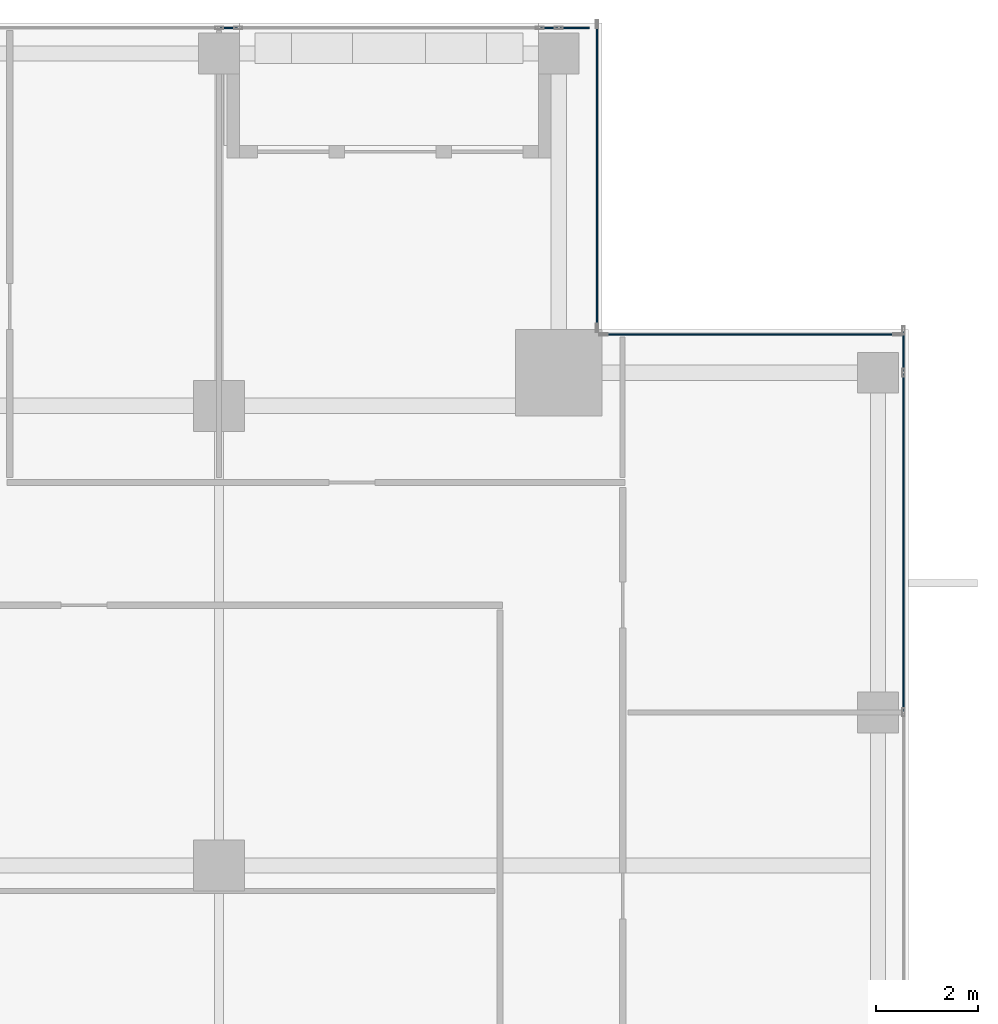
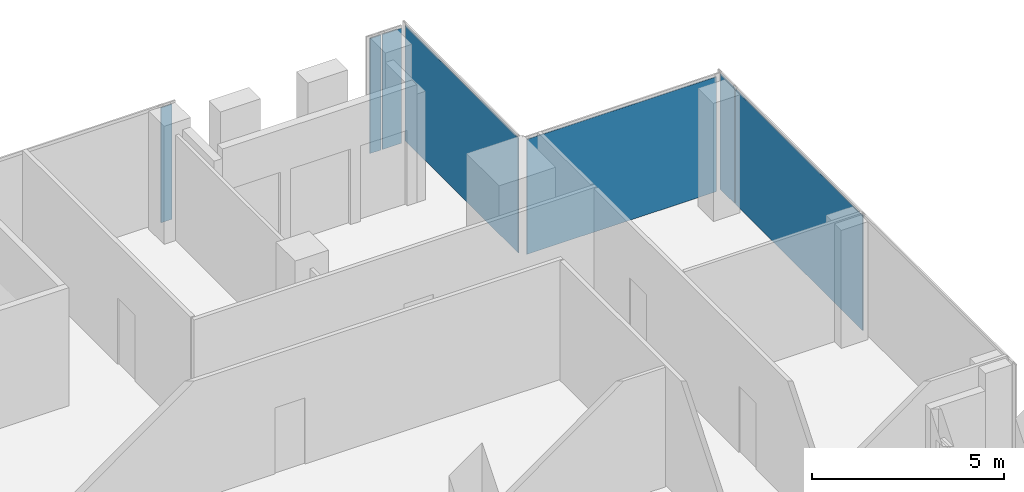
# One storey, part 23 of 29: 7 plates, 5 elements without a shape of their own.
"""IFC4 building model written with IfcOpenShell, lengths in metres."""

from ifc_helpers import new_model, si_unit, direction, frame, origin, origin_2d, place, context, subcontext, project, spatial, rectangle, extrude, source, transform, mapped, material, layer, layer_set, type_object, element, aggregate, save


model = new_model("IFC4")

# Units and contexts
model_context = context("Model", 3, precision=1e-05, world=origin(), true_north=direction((0.0, 1.0)))
body_context = subcontext(model_context, "Body", "Model", "MODEL_VIEW")
ifc_project = project(units=[si_unit("LENGTHUNIT", "METRE"), si_unit("AREAUNIT", "SQUARE_METRE"), si_unit("VOLUMEUNIT", "CUBIC_METRE"), si_unit("PLANEANGLEUNIT", "RADIAN"), si_unit("MASSUNIT", "GRAM", prefix="KILO")], contexts=[model_context])

# Site, building, storey
site_placement = place(None, origin())
site = spatial("IfcSite", under=ifc_project, at=site_placement, CompositionType="ELEMENT")
building_placement = place(site_placement, origin())
building = spatial("IfcBuilding", under=site, at=building_placement, Name="Khomas Fold Tower", CompositionType="ELEMENT")
storey_placement = place(building_placement, frame((0.0, 0.0, 290.199951171875)))
storey = spatial("IfcBuildingStorey", under=building, at=storey_placement, Name="L65", CompositionType="ELEMENT", Elevation=290.199951171875)

# Curtain wall, plate
ifc_material_1 = material(Name="Aluminium framed double glazing", Category="aluminium")
curtain_wall_type = type_object("IfcCurtainWallType", Name="SK-Unitised clear-glass wall, upper floors CW3", PredefinedType="NOTDEFINED", material=ifc_material_1)
curtain_wall_1_placement = place(storey_placement, origin())
curtain_wall_1 = element("IfcCurtainWall", 1, at=curtain_wall_1_placement, inside=storey, type_object=curtain_wall_type, Name="CW3 run L65 06-0", PredefinedType="NOTDEFINED")
ifc_material_2 = material(Name="Clear double glazed unit")
ifc_layer = layer(ifc_material_2, 0.028076171875)
ifc_layer_set = layer_set([ifc_layer], Name="Clear double glazed unit")
plate_type = type_object("IfcPlateType", Name="SK-Unitised clear-glass wall, upper floors glass panel CW3-P", PredefinedType="CURTAIN_PANEL", material=ifc_layer_set)
shared_shape_1 = source(origin(), body_context, "Body", "SweptSolid", [
    extrude(rectangle(XDim=0.574951171875, YDim=0.028076171875, at=origin_2d()), origin(), (0.0, 0.0, 1.0), 3.64990234375),
])
plate_1_placement = place(storey_placement, frame((41.46240234375, 47.89990234375, 0.0), z_axis=(0.0, 0.0, 1.0), x_axis=(-1.0, 0.0, 0.0)))
plate_1 = element("IfcPlate", 2, at=plate_1_placement, type_object=plate_type, Name="CW3 glass panel 1", PredefinedType="CURTAIN_PANEL", context=body_context, shape_type="MappedRepresentation", body=[
    mapped(shared_shape_1, transform((0.0, 0.0, 0.0))),
])

# Curtain wall, plates
curtain_wall_2_placement = place(storey_placement, origin())
curtain_wall_2 = element("IfcCurtainWall", 3, at=curtain_wall_2_placement, inside=storey, type_object=curtain_wall_type, Name="CW3 run L65 03-1", PredefinedType="NOTDEFINED")
shared_shape_2 = source(origin(), body_context, "Body", "SweptSolid", [
    extrude(rectangle(XDim=6.60009765625, YDim=0.028076171875, at=origin_2d()), origin(), (0.0, 0.0, 1.0), 3.64990234375),
])
plate_2_placement = place(storey_placement, frame((47.89990234375, 37.824951171875, 0.0), z_axis=(0.0, 0.0, 1.0), x_axis=(0.0, 1.0, 0.0)))
plate_2 = element("IfcPlate", 4, at=plate_2_placement, type_object=plate_type, Name="CW3 glass panel 3", PredefinedType="CURTAIN_PANEL", context=body_context, shape_type="MappedRepresentation", body=[
    mapped(shared_shape_2, transform((0.0, 0.0, 0.0))),
])
shared_shape_3 = source(origin(), body_context, "Body", "SweptSolid", [
    extrude(rectangle(XDim=0.77490234375, YDim=0.028076171875, at=origin_2d()), origin(), (0.0, 0.0, 1.0), 3.64990234375),
])
plate_3_placement = place(storey_placement, frame((47.89990234375, 41.5625, 0.0), z_axis=(0.0, 0.0, 1.0), x_axis=(0.0, 1.0, 0.0)))
plate_3 = element("IfcPlate", 5, at=plate_3_placement, type_object=plate_type, Name="CW3 glass panel 4", PredefinedType="CURTAIN_PANEL", context=body_context, shape_type="MappedRepresentation", body=[
    mapped(shared_shape_3, transform((0.0, 0.0, 0.0))),
])
aggregate(curtain_wall_2, [plate_2, plate_3])

# Curtain wall, plate
curtain_wall_3_placement = place(storey_placement, origin())
curtain_wall_3 = element("IfcCurtainWall", 6, at=curtain_wall_3_placement, inside=storey, type_object=curtain_wall_type, Name="CW3 corner return L65 04", PredefinedType="NOTDEFINED")
shared_shape_4 = source(origin(), body_context, "Body", "SweptSolid", [
    extrude(rectangle(XDim=5.699951171875, YDim=0.028076171875, at=origin_2d()), origin(), (0.0, 0.0, 1.0), 3.64990234375),
])
plate_4_placement = place(storey_placement, frame((44.89990234375, 41.89990234375, 0.0), z_axis=(0.0, 0.0, 1.0), x_axis=(-1.0, 0.0, 0.0)))
plate_4 = element("IfcPlate", 7, at=plate_4_placement, type_object=plate_type, Name="CW3 glass panel 1", PredefinedType="CURTAIN_PANEL", context=body_context, shape_type="MappedRepresentation", body=[
    mapped(shared_shape_4, transform((0.0, 0.0, 0.0))),
])
aggregate(curtain_wall_3, [plate_4])

curtain_wall_4_placement = place(storey_placement, origin())
curtain_wall_4 = element("IfcCurtainWall", 8, at=curtain_wall_4_placement, inside=storey, type_object=curtain_wall_type, Name="CW3 corner return L65 05", PredefinedType="NOTDEFINED")
shared_shape_5 = source(origin(), body_context, "Body", "SweptSolid", [
    extrude(rectangle(XDim=5.89990234375, YDim=0.028076171875, at=origin_2d()), origin(), (0.0, 0.0, 1.0), 3.64990234375),
])
plate_5_placement = place(storey_placement, frame((41.89990234375, 45.0, 0.0), z_axis=(0.0, 0.0, 1.0), x_axis=(0.0, 1.0, 0.0)))
plate_5 = element("IfcPlate", 9, at=plate_5_placement, type_object=plate_type, Name="CW3 glass panel 1", PredefinedType="CURTAIN_PANEL", context=body_context, shape_type="MappedRepresentation", body=[
    mapped(shared_shape_5, transform((0.0, 0.0, 0.0))),
])
aggregate(curtain_wall_4, [plate_5])

# Plate
shared_shape_6 = source(origin(), body_context, "Body", "SweptSolid", [
    extrude(rectangle(XDim=0.324951171875, YDim=0.028076171875, at=origin_2d()), origin(), (0.0, 0.0, 1.0), 3.64990234375),
])
plate_6_placement = place(storey_placement, frame((40.96240234375, 47.89990234375, 0.0), z_axis=(0.0, 0.0, 1.0), x_axis=(-1.0, 0.0, 0.0)))
plate_6 = element("IfcPlate", 10, at=plate_6_placement, type_object=plate_type, Name="CW3 glass panel 2", PredefinedType="CURTAIN_PANEL", context=body_context, shape_type="MappedRepresentation", body=[
    mapped(shared_shape_6, transform((0.0, 0.0, 0.0))),
])

aggregate(curtain_wall_1, [plate_1, plate_6])

# Curtain wall, plate
curtain_wall_5_placement = place(storey_placement, origin())
curtain_wall_5 = element("IfcCurtainWall", 11, at=curtain_wall_5_placement, inside=storey, type_object=curtain_wall_type, Name="CW3 run L65 06-1", PredefinedType="NOTDEFINED")
plate_7_placement = place(storey_placement, frame((34.6875, 47.89990234375, 0.0), z_axis=(0.0, 0.0, 1.0), x_axis=(-1.0, 0.0, 0.0)))
plate_7 = element("IfcPlate", 12, at=plate_7_placement, type_object=plate_type, Name="CW3 glass panel 1", PredefinedType="CURTAIN_PANEL", context=body_context, shape_type="MappedRepresentation", body=[
    mapped(shared_shape_6, transform((0.0, 0.0, 0.0))),
])
aggregate(curtain_wall_5, [plate_7])

save(model, "model.ifc")
